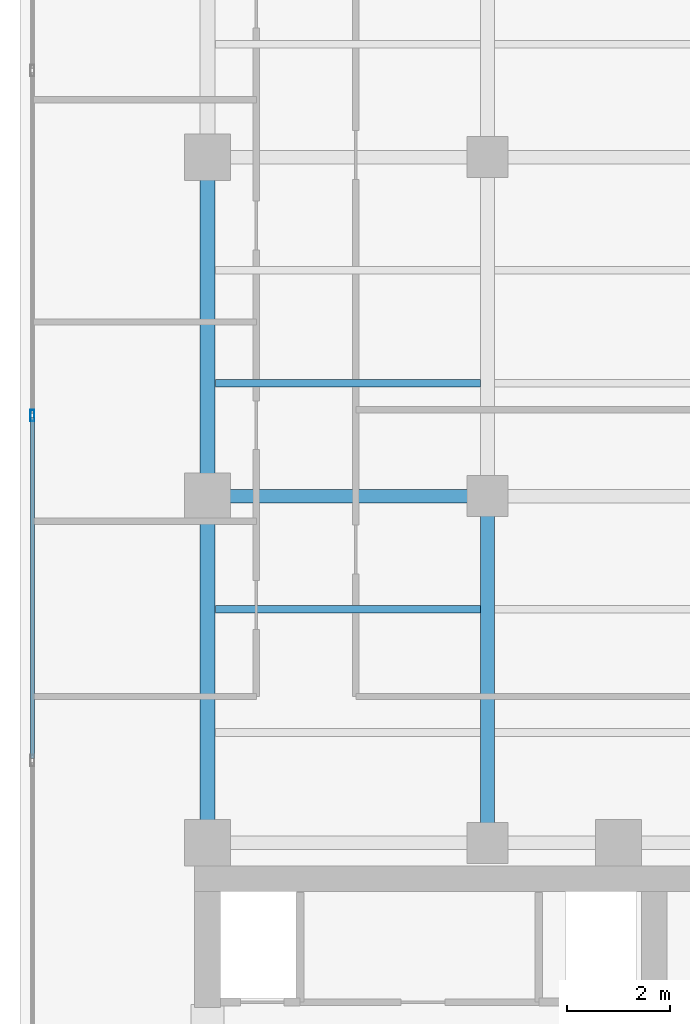
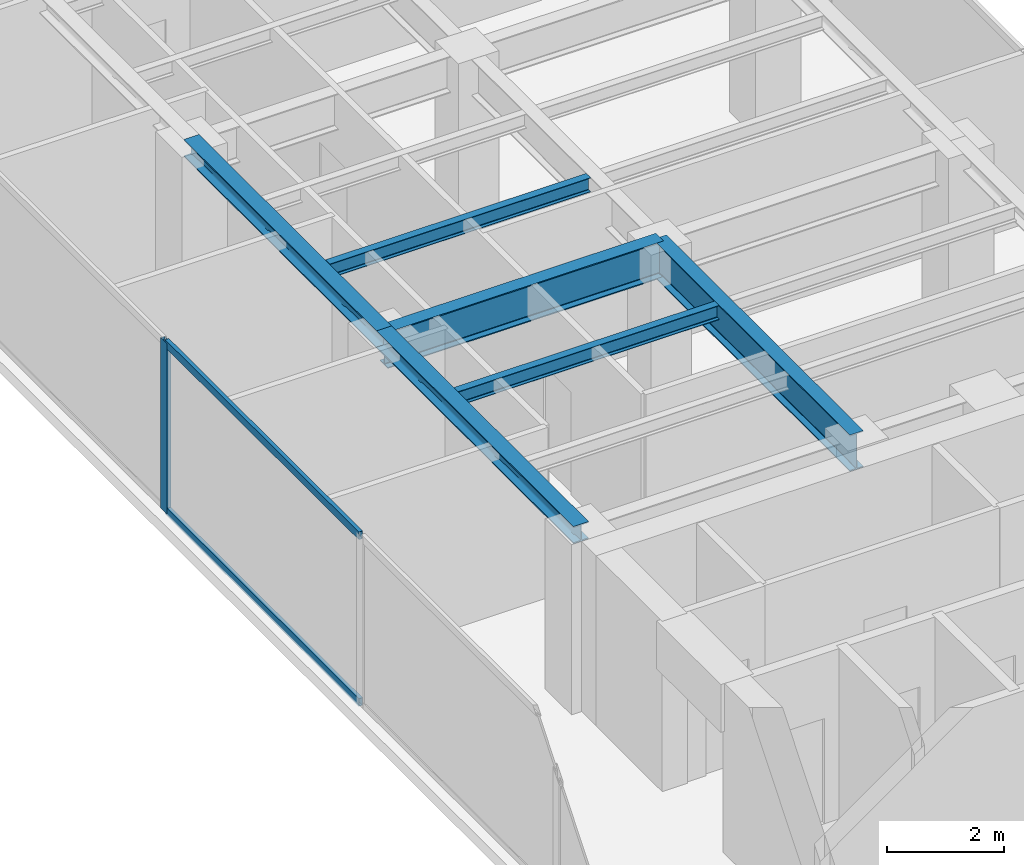
# One storey, part 8 of 24: 6 beams, 3 members, 1 element without a shape of its own.
"""IFC4 building model written with IfcOpenShell, lengths in metres."""

from ifc_helpers import new_model, si_unit, direction, frame, origin, origin_with_axes, origin_2d, place, context, subcontext, project, spatial, hollow_rectangle, i_section, extrude, source, transform, mapped, material, layer, layer_set, material_profile, profile_set, type_object, element, aggregate, save


model = new_model("IFC4")

# Units and contexts
model_context = context("Model", 3, precision=1e-05, world=origin(), true_north=direction((0.0, 1.0)))
body_context = subcontext(model_context, "Body", "Model", "MODEL_VIEW")
ifc_project = project(units=[si_unit("LENGTHUNIT", "METRE"), si_unit("AREAUNIT", "SQUARE_METRE"), si_unit("VOLUMEUNIT", "CUBIC_METRE"), si_unit("PLANEANGLEUNIT", "RADIAN"), si_unit("MASSUNIT", "GRAM", prefix="KILO")], contexts=[model_context])

# Site, building, storey
site_placement = place(None, origin())
site = spatial("IfcSite", under=ifc_project, at=site_placement, CompositionType="ELEMENT")
building_placement = place(site_placement, origin())
building = spatial("IfcBuilding", under=site, at=building_placement, Name="Kolvaren Waterfront Exchange", CompositionType="ELEMENT")
storey_placement = place(building_placement, frame((0.0, 0.0, 293.199951171875)))
storey = spatial("IfcBuildingStorey", under=building, at=storey_placement, Name="L75", CompositionType="ELEMENT", Elevation=293.199951171875)

# Beams
ifc_material_1 = material(Name="Steel S355", Category="steel")
ifc_material_profile_1 = material_profile(ifc_material_1, i_section(OverallWidth=0.300048828125, OverallDepth=0.360107421875, WebThickness=0.012451171875, FlangeThickness=0.0224609375, FilletRadius=0.027099609375, at=origin_2d()), Name="HEB360")
ifc_profile_set_1 = profile_set([ifc_material_profile_1], Name="Steel S355")
beam_type_1 = type_object("IfcBeamType", Name="STR-BM-HEB360", PredefinedType="SPANDREL", material=ifc_profile_set_1)
beam_1_placement = place(storey_placement, frame((7.449951171875, 24.449951171875, 3.380126953125), z_axis=(0.0, 1.0, 0.0), x_axis=(-1.0, 0.0, 0.0)))
element("IfcBeam", 1, at=beam_1_placement, inside=storey, type_object=beam_type_1, Name="L75 north-arm edge beam 1", PredefinedType="SPANDREL", context=body_context, shape_type="SweptSolid", body=[
    extrude(i_section(OverallWidth=0.300048828125, OverallDepth=0.360107421875, WebThickness=0.012451171875, FlangeThickness=0.0224609375, FilletRadius=0.027099609375, at=origin_2d()), origin(), (0.0, 0.0, 1.0), 6.75),
])
beam_2_placement = place(storey_placement, frame((7.449951171875, 31.199951171875, 3.380126953125), z_axis=(0.0, 1.0, 0.0), x_axis=(-1.0, 0.0, 0.0)))
element("IfcBeam", 2, at=beam_2_placement, inside=storey, type_object=beam_type_1, Name="L75 north-arm edge beam 2", PredefinedType="SPANDREL", context=body_context, shape_type="SweptSolid", body=[
    extrude(i_section(OverallWidth=0.300048828125, OverallDepth=0.360107421875, WebThickness=0.012451171875, FlangeThickness=0.0224609375, FilletRadius=0.027099609375, at=origin_2d()), origin(), (0.0, 0.0, 1.0), 6.60009765625),
])
ifc_material_profile_2 = material_profile(ifc_material_1, i_section(OverallWidth=0.14990234375, OverallDepth=0.300048828125, WebThickness=0.007080078125, FlangeThickness=0.0107421875, FilletRadius=0.014892578125, at=origin_2d()), Name="IPE300")
ifc_profile_set_2 = profile_set([ifc_material_profile_2], Name="Steel S355")
beam_type_2 = type_object("IfcBeamType", Name="STR-BM-IPE300", PredefinedType="JOIST", material=ifc_profile_set_2)
for number, where, z_axis, x_axis, name in (
    (3, (7.60205078125, 29.0, 3.41015625), (1.0, 0.0, 0.0), (0.0, 1.0, 0.0), "L75 north-arm composite joist 2A"),
    (4, (7.60205078125, 33.39990234375, 3.41015625), (1.0, 0.0, 0.0), (0.0, 1.0, 0.0), "L75 north-arm composite joist 3A"),
):
    element("IfcBeam", number, at=place(storey_placement, frame(where, z_axis=z_axis, x_axis=x_axis)), inside=storey, type_object=beam_type_2, Name=name, PredefinedType="JOIST", context=body_context, shape_type="SweptSolid", body=[
        extrude(i_section(OverallWidth=0.14990234375, OverallDepth=0.300048828125, WebThickness=0.007080078125, FlangeThickness=0.0107421875, FilletRadius=0.014892578125, at=origin_2d()), origin(), (0.0, 0.0, 1.0), 5.162353515625),
    ])
ifc_material_profile_3 = material_profile(ifc_material_1, i_section(OverallWidth=0.26708984375, OverallDepth=0.761962890625, WebThickness=0.014404296875, FlangeThickness=0.021484375, FilletRadius=0.01708984375, at=origin_2d()), Name="IPE750x173")
ifc_profile_set_3 = profile_set([ifc_material_profile_3], Name="Steel S355")
beam_type_3 = type_object("IfcBeamType", Name="STR-BM-IPE750", PredefinedType="BEAM", material=ifc_profile_set_3)
beam_3_placement = place(storey_placement, frame((7.449951171875, 31.199951171875, 3.178955078125), z_axis=(1.0, 0.0, 0.0), x_axis=(0.0, 1.0, 0.0)))
element("IfcBeam", 5, at=beam_3_placement, inside=storey, type_object=beam_type_3, Name="L75 north-arm girder 2A", PredefinedType="BEAM", context=body_context, shape_type="SweptSolid", body=[
    extrude(i_section(OverallWidth=0.26708984375, OverallDepth=0.761962890625, WebThickness=0.014404296875, FlangeThickness=0.021484375, FilletRadius=0.01708984375, at=origin_2d()), origin(), (0.0, 0.0, 1.0), 5.449951171875),
])
beam_4_placement = place(storey_placement, frame((12.89990234375, 24.449951171875, 3.178955078125), z_axis=(0.0, 1.0, 0.0), x_axis=(-1.0, 0.0, 0.0)))
element("IfcBeam", 6, at=beam_4_placement, inside=storey, type_object=beam_type_3, Name="L75 north-arm edge beam 1", PredefinedType="BEAM", context=body_context, shape_type="SweptSolid", body=[
    extrude(i_section(OverallWidth=0.26708984375, OverallDepth=0.761962890625, WebThickness=0.014404296875, FlangeThickness=0.021484375, FilletRadius=0.01708984375, at=origin_2d()), origin(), (0.0, 0.0, 1.0), 6.75),
])

# Curtain wall, members
ifc_material_2 = material(Name="Anodised aluminium 6063-T6", Category="aluminium")
ifc_layer = layer(ifc_material_2, 0.219970703125, Name="Anodised aluminium 6063-T6")
ifc_layer_set = layer_set([ifc_layer], Name="Anodised aluminium 6063-T6")
curtain_wall_type = type_object("IfcCurtainWallType", Name="ARC-CW-SYS2", PredefinedType="USERDEFINED", material=ifc_layer_set)
curtain_wall_placement = place(storey_placement, origin())
curtain_wall = element("IfcCurtainWall", 7, at=curtain_wall_placement, inside=storey, type_object=curtain_wall_type, Name="L75 stick curtain wall CW2 (CW-L75-W)", ObjectType="STICK CURTAIN WALL", PredefinedType="USERDEFINED")
ifc_material_profile_4 = material_profile(ifc_material_2, hollow_rectangle(XDim=0.080078125, YDim=0.219970703125, WallThickness=0.0048828125, at=origin_2d()), Name="ALU-MUL-220x80x5")
ifc_profile_set_4 = profile_set([ifc_material_profile_4], Name="Anodised aluminium 6063-T6")
member_type_1 = type_object("IfcMemberType", Name="ARC-CWM-220", PredefinedType="MULLION", material=ifc_profile_set_4)
shared_shape_1 = source(origin_with_axes(), body_context, "Body", "SweptSolid", [
    extrude(hollow_rectangle(XDim=0.080078125, YDim=0.219970703125, WallThickness=0.0048828125, at=origin_2d()), origin(), (0.0, 0.0, 1.0), 3.56005859375),
])
member_1_placement = place(storey_placement, frame((4.0400390625, 32.770263671875, 0.0), z_axis=(0.0, 0.0, 1.0), x_axis=(-1.0, 0.0, 0.0)))
member_1 = element("IfcMember", 8, at=member_1_placement, type_object=member_type_1, Name="CW2 mullion 5", PredefinedType="MULLION", context=body_context, shape_type="MappedRepresentation", body=[
    mapped(shared_shape_1, transform((0.0, 0.0, 0.0), x_axis=(1.0, 0.0, 0.0), y_axis=(0.0, 1.0, 0.0), z_axis=(0.0, 0.0, 1.0), scale=1.0)),
])
ifc_material_profile_5 = material_profile(ifc_material_2, hollow_rectangle(XDim=0.074951171875, YDim=0.159912109375, WallThickness=0.00439453125, at=origin_2d()), Name="ALU-TRN-160x75x4.5")
ifc_profile_set_5 = profile_set([ifc_material_profile_5], Name="Anodised aluminium 6063-T6")
member_type_2 = type_object("IfcMemberType", Name="ARC-CWT-160", PredefinedType="USERDEFINED", material=ifc_profile_set_5)
shared_shape_2 = source(origin_with_axes(), body_context, "Body", "SweptSolid", [
    extrude(hollow_rectangle(XDim=0.074951171875, YDim=0.159912109375, WallThickness=0.00439453125, at=origin_2d()), origin(), (0.0, 0.0, 1.0), 6.6376953125),
])
member_2_placement = place(storey_placement, frame((4.0400390625, 26.092529296875, 0.03759765625), z_axis=(0.0, 1.0, 0.0), x_axis=(-1.0, 0.0, 0.0)))
member_2 = element("IfcMember", 9, at=member_2_placement, type_object=member_type_2, Name="CW2 transom 4.1", ObjectType="TRANSOM", PredefinedType="USERDEFINED", context=body_context, shape_type="MappedRepresentation", body=[
    mapped(shared_shape_2, transform((0.0, 0.0, 0.0), x_axis=(1.0, 0.0, 0.0), y_axis=(0.0, 1.0, 0.0), z_axis=(0.0, 0.0, 1.0), scale=1.0)),
])
member_3_placement = place(storey_placement, frame((4.0400390625, 26.092529296875, 3.5224609375), z_axis=(0.0, 1.0, 0.0), x_axis=(-1.0, 0.0, 0.0)))
member_3 = element("IfcMember", 10, at=member_3_placement, type_object=member_type_2, Name="CW2 transom 4.2", ObjectType="TRANSOM", PredefinedType="USERDEFINED", context=body_context, shape_type="MappedRepresentation", body=[
    mapped(shared_shape_2, transform((0.0, 0.0, 0.0), x_axis=(1.0, 0.0, 0.0), y_axis=(0.0, 1.0, 0.0), z_axis=(0.0, 0.0, 1.0), scale=1.0)),
])
aggregate(curtain_wall, [member_1, member_2, member_3])

save(model, "model.ifc")
